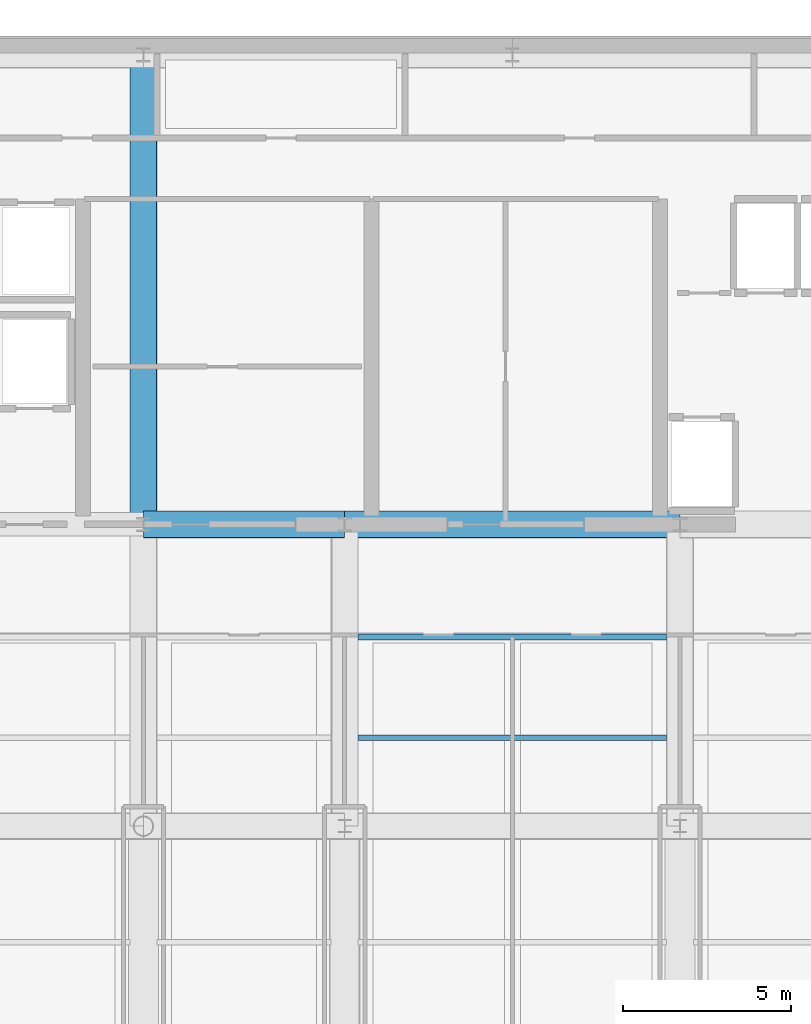
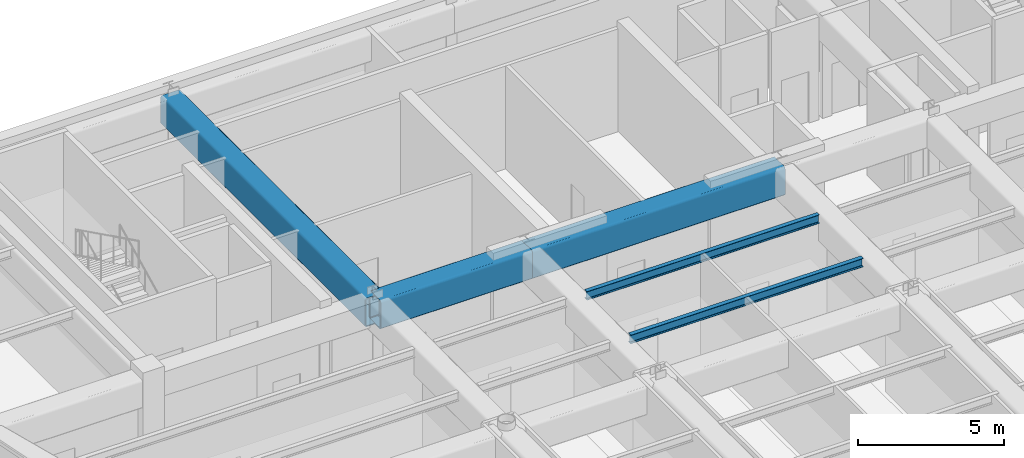
# One storey, part 5 of 20: 5 beams.
"""IFC4 building model written with IfcOpenShell, lengths in metres."""

from ifc_helpers import new_model, si_unit, direction, frame, origin, origin_2d, place, context, subcontext, project, spatial, hollow_rectangle, i_section, extrude, source, transform, mapped, material, material_profile, profile_set, type_object, element, save


model = new_model("IFC4")

# Units and contexts
model_context = context("Model", 3, precision=1e-05, world=origin(), true_north=direction((0.0, 1.0)))
body_context = subcontext(model_context, "Body", "Model", "MODEL_VIEW")
ifc_project = project(units=[si_unit("LENGTHUNIT", "METRE"), si_unit("AREAUNIT", "SQUARE_METRE"), si_unit("VOLUMEUNIT", "CUBIC_METRE"), si_unit("PLANEANGLEUNIT", "RADIAN"), si_unit("MASSUNIT", "GRAM", prefix="KILO")], contexts=[model_context])

# Site, building, storey
site_placement = place(None, origin())
site = spatial("IfcSite", under=ifc_project, at=site_placement, CompositionType="ELEMENT")
building_placement = place(site_placement, origin())
building = spatial("IfcBuilding", under=site, at=building_placement, Name="Vaeldorn Concourse Tower", CompositionType="ELEMENT")
storey_placement = place(building_placement, frame((0.0, 0.0, 299.199951171875)))
storey = spatial("IfcBuildingStorey", under=building, at=storey_placement, Name="L77", CompositionType="ELEMENT", Elevation=299.199951171875)

# Beams
ifc_material_1 = material(Name="Steel S460", Category="steel")
ifc_material_profile_1 = material_profile(ifc_material_1, hollow_rectangle(XDim=0.800048828125, YDim=1.199951171875, WallThickness=0.044921875, InnerFilletRadius=0.044921875, OuterFilletRadius=0.090087890625, at=origin_2d()), Name="RHS 1200x800x45")
ifc_profile_set_1 = profile_set([ifc_material_profile_1], Name="Steel S460")
beam_type_1 = type_object("IfcBeamType", Name="BM-TG-RHS1200", PredefinedType="BEAM", material=ifc_profile_set_1)
shared_shape_1 = source(origin(), body_context, "Body", "SweptSolid", [
    extrude(hollow_rectangle(XDim=0.800048828125, YDim=1.199951171875, WallThickness=0.044921875, InnerFilletRadius=0.044921875, OuterFilletRadius=0.090087890625, at=origin_2d()), origin(), (0.0, 0.0, 1.0), 6.0),
])
beam_1_placement = place(storey_placement, frame((23.0, 36.5, 3.699951171875), z_axis=(1.0, 0.0, 0.0), x_axis=(0.0, 1.0, 0.0)))
element("IfcBeam", 1, at=beam_1_placement, inside=storey, type_object=beam_type_1, Name="Beam BM-L77-C-FC2-C-FC3", PredefinedType="BEAM", context=body_context, shape_type="MappedRepresentation", body=[
    mapped(shared_shape_1, transform((0.0, 0.0, 0.0), scale=1.0)),
])
shared_shape_2 = source(origin(), body_context, "Body", "SweptSolid", [
    extrude(hollow_rectangle(XDim=0.800048828125, YDim=1.199951171875, WallThickness=0.044921875, InnerFilletRadius=0.044921875, OuterFilletRadius=0.090087890625, at=origin_2d()), origin(), (0.0, 0.0, 1.0), 10.0),
])
beam_2_placement = place(storey_placement, frame((29.0, 36.5, 3.699951171875), z_axis=(1.0, 0.0, 0.0), x_axis=(0.0, 1.0, 0.0)))
element("IfcBeam", 2, at=beam_2_placement, inside=storey, type_object=beam_type_1, Name="Beam BM-L77-C-FC3-C-FC4", PredefinedType="BEAM", context=body_context, shape_type="MappedRepresentation", body=[
    mapped(shared_shape_2, transform((0.0, 0.0, 0.0), scale=1.0)),
])
shared_shape_3 = source(origin(), body_context, "Body", "SweptSolid", [
    extrude(hollow_rectangle(XDim=0.800048828125, YDim=1.199951171875, WallThickness=0.044921875, InnerFilletRadius=0.044921875, OuterFilletRadius=0.090087890625, at=origin_2d()), origin(), (0.0, 0.0, 1.0), 14.0),
])
beam_3_placement = place(storey_placement, frame((23.0, 36.5, 3.699951171875), z_axis=(0.0, 1.0, 0.0), x_axis=(-1.0, 0.0, 0.0)))
element("IfcBeam", 3, at=beam_3_placement, inside=storey, type_object=beam_type_1, Name="Beam BM-L77-C-FC2-C-HC2", PredefinedType="BEAM", context=body_context, shape_type="MappedRepresentation", body=[
    mapped(shared_shape_3, transform((0.0, 0.0, 0.0), scale=1.0)),
])
ifc_material_2 = material(Name="Steel S355", Category="steel")
ifc_material_profile_2 = material_profile(ifc_material_2, i_section(OverallWidth=0.169921875, OverallDepth=0.360107421875, WebThickness=0.008056640625, FlangeThickness=0.0126953125, FilletRadius=0.01806640625, at=origin_2d()), Name="IPE 360")
ifc_profile_set_2 = profile_set([ifc_material_profile_2], Name="Steel S355")
beam_type_2 = type_object("IfcBeamType", Name="BM-JS-IPE360", PredefinedType="JOIST", material=ifc_profile_set_2)
shared_shape_4 = source(origin(), body_context, "Body", "SweptSolid", [
    extrude(i_section(OverallWidth=0.169921875, OverallDepth=0.360107421875, WebThickness=0.008056640625, FlangeThickness=0.0126953125, FilletRadius=0.01806640625, at=origin_2d()), origin(), (0.0, 0.0, 1.0), 9.2001953125),
])
for number, where, z_axis, x_axis, name in (
    (4, (29.39990234375, 30.139892578125, 4.1201171875), (1.0, 0.0, 0.0), (0.0, 1.0, 0.0), "Beam JS-L77-C-301"),
    (5, (29.39990234375, 33.139892578125, 4.1201171875), (1.0, 0.0, 0.0), (0.0, 1.0, 0.0), "Beam JS-L77-C-331"),
):
    element("IfcBeam", number, at=place(storey_placement, frame(where, z_axis=z_axis, x_axis=x_axis)), inside=storey, type_object=beam_type_2, Name=name, PredefinedType="JOIST", context=body_context, shape_type="MappedRepresentation", body=[
        mapped(shared_shape_4, transform((0.0, 0.0, 0.0), scale=1.0)),
    ])

save(model, "model.ifc")
